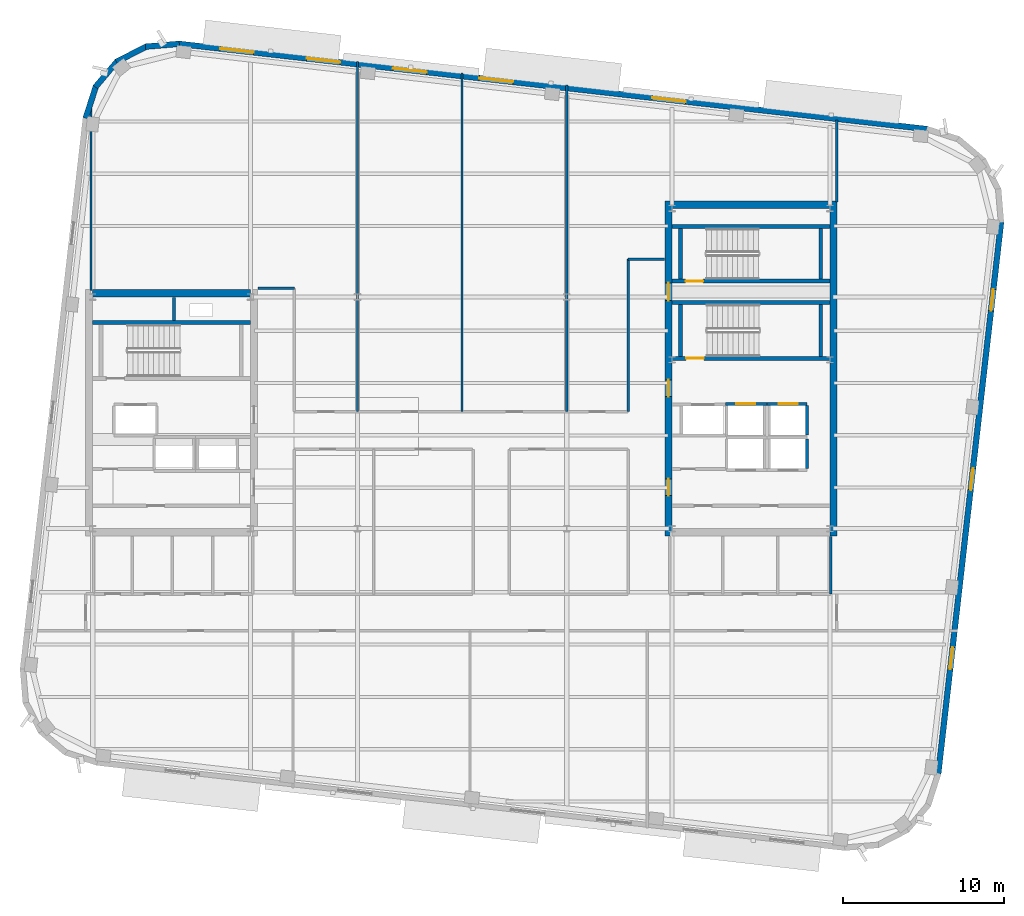
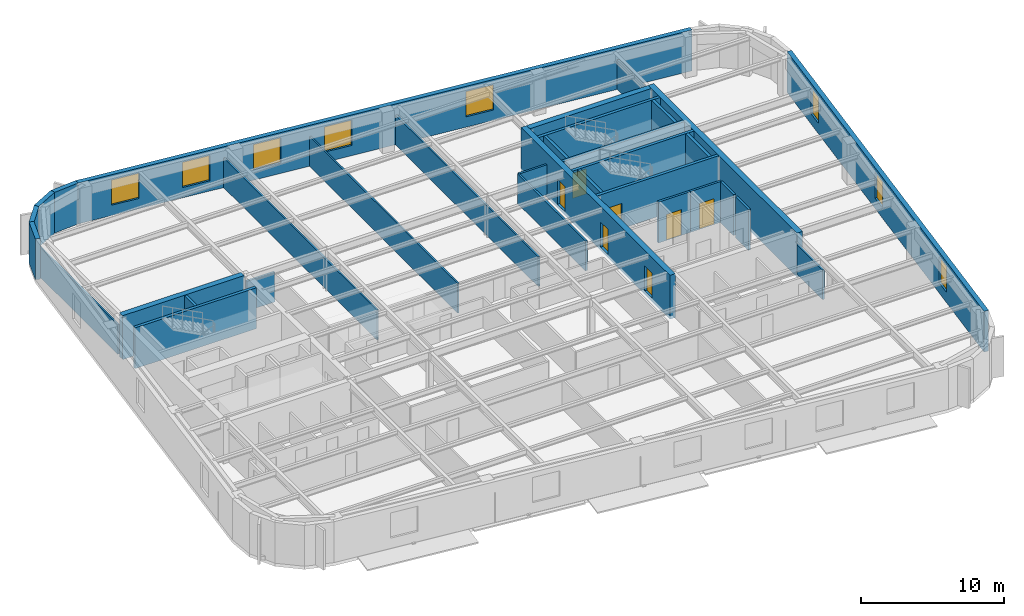
# One storey, part 8 of 14: 33 walls, 8 windows, 7 doors, 15 openings.
"""IFC4 building model written with IfcOpenShell, lengths in metres."""

from ifc_helpers import new_model, si_unit, direction, frame, frame_2d, origin, place, context, subcontext, project, spatial, rectangle, extrude, material, layer, layer_set, type_object, element, fill, save


model = new_model("IFC4")

# Units and contexts
model_context = context("Model", 3, precision=1e-05, world=origin(), true_north=direction((0.0, 1.0)))
body_context = subcontext(model_context, "Body", "Model", "MODEL_VIEW")
ifc_project = project(units=[si_unit("LENGTHUNIT", "METRE"), si_unit("AREAUNIT", "SQUARE_METRE"), si_unit("VOLUMEUNIT", "CUBIC_METRE"), si_unit("PLANEANGLEUNIT", "RADIAN"), si_unit("MASSUNIT", "GRAM", prefix="KILO")], contexts=[model_context])

# Site, building, storey
site_placement = place(None, origin())
site = spatial("IfcSite", under=ifc_project, at=site_placement, CompositionType="ELEMENT")
building_placement = place(site_placement, origin())
building = spatial("IfcBuilding", under=site, at=building_placement, Name="Kolvaren Arena Tower", CompositionType="ELEMENT")
storey_placement = place(building_placement, frame((0.0, 0.0, 224.699951171875)))
storey = spatial("IfcBuildingStorey", under=building, at=storey_placement, Name="L54", CompositionType="ELEMENT", Elevation=224.699951171875)

# Walls
ifc_material_1 = material(Name="Gypsum board acoustic assembly", Category="gypsum")
ifc_layer_1 = layer(ifc_material_1, 0.159912109375)
ifc_layer_set_1 = layer_set([ifc_layer_1], Name="Gypsum board acoustic assembly")
wall_type_1 = type_object("IfcWallType", Name="CORR-160", PredefinedType="PARTITIONING", material=ifc_layer_set_1)
wall_1_placement = place(storey_placement, frame((24.820068359375, 34.3798828125, 0.0), z_axis=(0.0, 0.0, 1.0), x_axis=(1.0, 0.0, 0.0)))
element("IfcWall", 1, at=wall_1_placement, inside=storey, type_object=wall_type_1, Name="Interior Partition Wall (L54)", PredefinedType="PARTITIONING", context=body_context, shape_type="SweptSolid", body=[
    extrude(rectangle(XDim=2.260009765625, YDim=0.159912109375, at=frame_2d((1.1298828125, 0.0))), origin(), (0.0, 0.0, 1.0), 2.5400390625),
])
wall_2_placement = place(storey_placement, frame((47.820068359375, 26.719970703125, 0.0), z_axis=(0.0, 0.0, 1.0), x_axis=(0.0, 1.0, 0.0)))
element("IfcWall", 2, at=wall_2_placement, inside=storey, type_object=wall_type_1, Name="Interior Partition Wall (L54)", PredefinedType="PARTITIONING", context=body_context, shape_type="SweptSolid", body=[
    extrude(rectangle(XDim=9.47998046875, YDim=0.159912109375, at=frame_2d((4.739990234375, 0.0))), origin(), (0.0, 0.0, 1.0), 2.5400390625),
])
wall_3_placement = place(storey_placement, frame((47.820068359375, 36.199951171875, 0.0), z_axis=(0.0, 0.0, 1.0), x_axis=(1.0, 0.0, 0.0)))
element("IfcWall", 3, at=wall_3_placement, inside=storey, type_object=wall_type_1, Name="Interior Partition Wall (L54)", PredefinedType="PARTITIONING", context=body_context, shape_type="SweptSolid", body=[
    extrude(rectangle(XDim=2.260009765625, YDim=0.159912109375, at=frame_2d((1.1298828125, 0.0))), origin(), (0.0, 0.0, 1.0), 2.5400390625),
])
ifc_material_2 = material(Name="Concrete 55 MPa", Category="concrete")
ifc_layer_2 = layer(ifc_material_2, 0.449951171875)
ifc_layer_set_2 = layer_set([ifc_layer_2], Name="Concrete 55 MPa")
wall_type_2 = type_object("IfcWallType", Name="CWALL-450", PredefinedType="SHEAR", material=ifc_layer_set_2)
wall_4_placement = place(storey_placement, frame((14.550048828125, 34.074951171875, -0.27001953125), z_axis=(0.0, 0.0, 1.0), x_axis=(1.0, 0.0, 0.0)))
element("IfcWall", 4, at=wall_4_placement, inside=storey, type_object=wall_type_2, Name="Core Shear Wall WC-NORTH (L54)", PredefinedType="SHEAR", context=body_context, shape_type="SweptSolid", body=[
    extrude(rectangle(XDim=9.800048828125, YDim=0.449951171875, at=frame_2d((4.89990234375, 0.0))), origin(), (0.0, 0.0, 1.0), 3.75),
])

# Wall, openings, doors
wall_5_placement = place(storey_placement, frame((50.324951171875, 19.0, -0.27001953125), z_axis=(0.0, 0.0, 1.0), x_axis=(0.0, 1.0, 0.0)))
wall_5 = element("IfcWall", 5, at=wall_5_placement, inside=storey, type_object=wall_type_2, Name="Core Shear Wall EC-WEST (L54)", PredefinedType="SHEAR", context=body_context, shape_type="SweptSolid", body=[
    extrude(rectangle(XDim=20.800048828125, YDim=0.449951171875, at=frame_2d((10.39990234375, 0.0))), origin(), (0.0, 0.0, 1.0), 3.75),
])
opening_1_placement = place(wall_5_placement, frame((2.5, 0.0, 0.27001953125)))
opening_1 = element("IfcOpeningElement", 6, at=opening_1_placement, cuts=wall_5, Name="Opening D04", PredefinedType="OPENING", context=body_context, shape_type="SweptSolid", body=[
    extrude(rectangle(XDim=1.050048828125, YDim=2.14990234375, at=frame_2d((0.52490234375, 1.074951171875))), frame((0.0, 0.23486328125, 0.0), z_axis=(0.0, -1.0, 0.0), x_axis=(1.0, 0.0, 0.0)), (0.0, 0.0, 1.0), 0.469970703125),
])
opening_2_placement = place(wall_5_placement, frame((8.64990234375, 0.0, 0.27001953125)))
opening_2 = element("IfcOpeningElement", 7, at=opening_2_placement, cuts=wall_5, Name="Opening D04", PredefinedType="OPENING", context=body_context, shape_type="SweptSolid", body=[
    extrude(rectangle(XDim=1.050048828125, YDim=2.14990234375, at=frame_2d((0.52490234375, 1.074951171875))), frame((0.0, 0.23486328125, 0.0), z_axis=(0.0, -1.0, 0.0), x_axis=(1.0, 0.0, 0.0)), (0.0, 0.0, 1.0), 0.469970703125),
])
opening_3_placement = place(wall_5_placement, frame((14.6201171875, 0.0, 0.27001953125)))
opening_3 = element("IfcOpeningElement", 8, at=opening_3_placement, cuts=wall_5, Name="Opening D03", PredefinedType="OPENING", context=body_context, shape_type="SweptSolid", body=[
    extrude(rectangle(XDim=1.10009765625, YDim=2.14990234375, at=frame_2d((0.550048828125, 1.074951171875))), frame((0.0, 0.23486328125, 0.0), z_axis=(0.0, -1.0, 0.0), x_axis=(1.0, 0.0, 0.0)), (0.0, 0.0, 1.0), 0.469970703125),
])
ifc_material_3 = material(Name="Fire-rated steel lobby door", Category="steel")
door_type_1 = type_object("IfcDoorType", Name="DOOR-FF-105", OperationType="NOTDEFINED", PredefinedType="DOOR", material=ifc_material_3)
door_1_placement = place(opening_1_placement, origin())
door_1 = element("IfcDoor", 9, at=door_1_placement, inside=storey, type_object=door_type_1, Name="East Lift Lobby Fire Door (L54)", OperationType="SINGLE_SWING_RIGHT", OverallHeight=2.14990234375, OverallWidth=1.050048828125, PredefinedType="DOOR", context=body_context, shape_type="SweptSolid", body=[
    extrude(rectangle(XDim=1.050048828125, YDim=2.14990234375, at=frame_2d((0.52490234375, 1.074951171875))), frame((0.0, 0.02490234375, 0.0), z_axis=(0.0, -1.0, 0.0), x_axis=(1.0, 0.0, 0.0)), (0.0, 0.0, 1.0), 0.050048828125),
])
fill(opening_1, door_1)
door_2_placement = place(opening_2_placement, origin())
door_2 = element("IfcDoor", 10, at=door_2_placement, inside=storey, type_object=door_type_1, Name="East Firefighter Vestibule Door (L54)", OperationType="SINGLE_SWING_LEFT", OverallHeight=2.14990234375, OverallWidth=1.050048828125, PredefinedType="DOOR", context=body_context, shape_type="SweptSolid", body=[
    extrude(rectangle(XDim=1.050048828125, YDim=2.14990234375, at=frame_2d((0.52490234375, 1.074951171875))), frame((0.0, 0.02490234375, 0.0), z_axis=(0.0, -1.0, 0.0), x_axis=(1.0, 0.0, 0.0)), (0.0, 0.0, 1.0), 0.050048828125),
])
fill(opening_2, door_2)
ifc_material_4 = material(Name="Fire-rated steel exit stair door", Category="steel")
door_type_2 = type_object("IfcDoorType", Name="DOOR-ST-110", OperationType="NOTDEFINED", PredefinedType="DOOR", material=ifc_material_4)
door_3_placement = place(opening_3_placement, origin())
door_3 = element("IfcDoor", 11, at=door_3_placement, inside=storey, type_object=door_type_2, Name="Stair ST-E2 Vestibule Fire Door (L54)", OperationType="SINGLE_SWING_LEFT", OverallHeight=2.14990234375, OverallWidth=1.10009765625, PredefinedType="DOOR", context=body_context, shape_type="SweptSolid", body=[
    extrude(rectangle(XDim=1.10009765625, YDim=2.14990234375, at=frame_2d((0.550048828125, 1.074951171875))), frame((0.0, 0.02490234375, 0.0), z_axis=(0.0, -1.0, 0.0), x_axis=(1.0, 0.0, 0.0)), (0.0, 0.0, 1.0), 0.050048828125),
])
fill(opening_3, door_3)

# Walls
wall_6_placement = place(storey_placement, frame((60.574951171875, 19.0, -0.27001953125), z_axis=(0.0, 0.0, 1.0), x_axis=(0.0, 1.0, 0.0)))
element("IfcWall", 12, at=wall_6_placement, inside=storey, type_object=wall_type_2, Name="Core Shear Wall EC-EAST (L54)", PredefinedType="SHEAR", context=body_context, shape_type="SweptSolid", body=[
    extrude(rectangle(XDim=20.800048828125, YDim=0.449951171875, at=frame_2d((10.39990234375, 0.0))), origin(), (0.0, 0.0, 1.0), 3.75),
])
wall_7_placement = place(storey_placement, frame((50.550048828125, 39.574951171875, -0.27001953125), z_axis=(0.0, 0.0, 1.0), x_axis=(1.0, 0.0, 0.0)))
element("IfcWall", 13, at=wall_7_placement, inside=storey, type_object=wall_type_2, Name="Core Shear Wall EC-NORTH (L54)", PredefinedType="SHEAR", context=body_context, shape_type="SweptSolid", body=[
    extrude(rectangle(XDim=9.800048828125, YDim=0.449951171875, at=frame_2d((4.89990234375, 0.0))), origin(), (0.0, 0.0, 1.0), 3.75),
])

# Wall, openings, windows
ifc_material_5 = material(Name="Precast concrete C50/60", Category="concrete")
ifc_layer_3 = layer(ifc_material_5, 0.360107421875)
ifc_layer_set_3 = layer_set([ifc_layer_3], Name="Precast concrete C50/60")
wall_type_3 = type_object("IfcWallType", Name="EXT-PIER2", PredefinedType="SOLIDWALL", material=ifc_layer_set_3)
wall_8_placement = place(storey_placement, frame((70.98876953125, 38.499267578125, 0.0), z_axis=(0.0, 0.0, 1.0), x_axis=(-0.113203107947, -0.993571867733, 0.0)))
wall_8 = element("IfcWall", 14, at=wall_8_placement, inside=storey, type_object=wall_type_3, Name="Exterior Precast Masonry-Frame Wall (L54)", PredefinedType="SOLIDWALL", context=body_context, shape_type="SweptSolid", body=[
    extrude(rectangle(XDim=34.5, YDim=0.360107421875, at=frame_2d((17.25, 0.0))), origin(), (0.0, 0.0, 1.0), 3.47998046875),
])
opening_4_placement = place(wall_8_placement, frame((4.199951171875, 0.0, 0.8798828125)))
opening_4 = element("IfcOpeningElement", 15, at=opening_4_placement, cuts=wall_8, Name="Opening W04", PredefinedType="OPENING", context=body_context, shape_type="SweptSolid", body=[
    extrude(rectangle(XDim=1.35009765625, YDim=2.199951171875, at=frame_2d((0.675048828125, 1.10009765625))), frame((0.0, 0.18994140625, 0.0), z_axis=(0.0, -1.0, 0.0), x_axis=(1.0, 0.0, 0.0)), (0.0, 0.0, 1.0), 0.380126953125),
])
opening_5_placement = place(wall_8_placement, frame((15.39990234375, 0.0, 0.8798828125)))
opening_5 = element("IfcOpeningElement", 16, at=opening_5_placement, cuts=wall_8, Name="Opening W04", PredefinedType="OPENING", context=body_context, shape_type="SweptSolid", body=[
    extrude(rectangle(XDim=1.35009765625, YDim=2.199951171875, at=frame_2d((0.675048828125, 1.10009765625))), frame((0.0, 0.18994140625, 0.0), z_axis=(0.0, -1.0, 0.0), x_axis=(1.0, 0.0, 0.0)), (0.0, 0.0, 1.0), 0.380126953125),
])
opening_6_placement = place(wall_8_placement, frame((26.60009765625, 0.0, 0.8798828125)))
opening_6 = element("IfcOpeningElement", 17, at=opening_6_placement, cuts=wall_8, Name="Opening W04", PredefinedType="OPENING", context=body_context, shape_type="SweptSolid", body=[
    extrude(rectangle(XDim=1.35009765625, YDim=2.199951171875, at=frame_2d((0.675048828125, 1.10009765625))), frame((0.0, 0.18994140625, 0.0), z_axis=(0.0, -1.0, 0.0), x_axis=(1.0, 0.0, 0.0)), (0.0, 0.0, 1.0), 0.380126953125),
])
ifc_material_6 = material(Name="Triple-glazed curved-facet corner window", Category="glass")
window_type_1 = type_object("IfcWindowType", Name="WIN-CRN-A", PartitioningType="SINGLE_PANEL", PredefinedType="WINDOW", material=ifc_material_6)
window_1_placement = place(opening_4_placement, origin())
window_1 = element("IfcWindow", 18, at=window_1_placement, inside=storey, type_object=window_type_1, Name="End-Wall Punched Window (L54)", OverallHeight=2.199951171875, OverallWidth=1.35009765625, PartitioningType="SINGLE_PANEL", PredefinedType="WINDOW", context=body_context, shape_type="SweptSolid", body=[
    extrude(rectangle(XDim=1.35009765625, YDim=2.199951171875, at=frame_2d((0.675048828125, 1.10009765625))), frame((0.0, 0.030029296875, 0.0), z_axis=(0.0, -1.0, 0.0), x_axis=(1.0, 0.0, 0.0)), (0.0, 0.0, 1.0), 0.06005859375),
])
fill(opening_4, window_1)
window_2_placement = place(opening_5_placement, origin())
window_2 = element("IfcWindow", 19, at=window_2_placement, inside=storey, type_object=window_type_1, Name="End-Wall Punched Window (L54)", OverallHeight=2.199951171875, OverallWidth=1.35009765625, PartitioningType="SINGLE_PANEL", PredefinedType="WINDOW", context=body_context, shape_type="SweptSolid", body=[
    extrude(rectangle(XDim=1.35009765625, YDim=2.199951171875, at=frame_2d((0.675048828125, 1.10009765625))), frame((0.0, 0.030029296875, 0.0), z_axis=(0.0, -1.0, 0.0), x_axis=(1.0, 0.0, 0.0)), (0.0, 0.0, 1.0), 0.06005859375),
])
fill(opening_5, window_2)
window_3_placement = place(opening_6_placement, origin())
window_3 = element("IfcWindow", 20, at=window_3_placement, inside=storey, type_object=window_type_1, Name="End-Wall Punched Window (L54)", OverallHeight=2.199951171875, OverallWidth=1.35009765625, PartitioningType="SINGLE_PANEL", PredefinedType="WINDOW", context=body_context, shape_type="SweptSolid", body=[
    extrude(rectangle(XDim=1.35009765625, YDim=2.199951171875, at=frame_2d((0.675048828125, 1.10009765625))), frame((0.0, 0.030029296875, 0.0), z_axis=(0.0, -1.0, 0.0), x_axis=(1.0, 0.0, 0.0)), (0.0, 0.0, 1.0), 0.06005859375),
])
fill(opening_6, window_3)

wall_9_placement = place(storey_placement, frame((19.89404296875, 49.57470703125, 0.0), z_axis=(0.0, 0.0, 1.0), x_axis=(0.993571439016, -0.113206870688, 0.0)))
wall_9 = element("IfcWall", 21, at=wall_9_placement, inside=storey, type_object=wall_type_3, Name="Exterior Precast Masonry-Frame Wall (L54)", PredefinedType="SOLIDWALL", context=body_context, shape_type="SweptSolid", body=[
    extrude(rectangle(XDim=46.800048828125, YDim=0.360107421875, at=frame_2d((23.39990234375, 0.0))), origin(), (0.0, 0.0, 1.0), 3.47998046875),
])
opening_7_placement = place(wall_9_placement, frame((2.60009765625, 0.0, 0.8798828125)))
opening_7 = element("IfcOpeningElement", 22, at=opening_7_placement, cuts=wall_9, Name="Opening W01", PredefinedType="OPENING", context=body_context, shape_type="SweptSolid", body=[
    extrude(rectangle(XDim=2.10009765625, YDim=2.14990234375, at=frame_2d((1.050048828125, 1.074951171875))), frame((0.0, 0.18994140625, 0.0), z_axis=(0.0, -1.0, 0.0), x_axis=(1.0, 0.0, 0.0)), (0.0, 0.0, 1.0), 0.380126953125),
])
opening_8_placement = place(wall_9_placement, frame((8.0, 0.0, 0.8798828125)))
opening_8 = element("IfcOpeningElement", 23, at=opening_8_placement, cuts=wall_9, Name="Opening W01", PredefinedType="OPENING", context=body_context, shape_type="SweptSolid", body=[
    extrude(rectangle(XDim=2.10009765625, YDim=2.14990234375, at=frame_2d((1.050048828125, 1.074951171875))), frame((0.0, 0.18994140625, 0.0), z_axis=(0.0, -1.0, 0.0), x_axis=(1.0, 0.0, 0.0)), (0.0, 0.0, 1.0), 0.380126953125),
])
opening_9_placement = place(wall_9_placement, frame((13.39990234375, 0.0, 0.8798828125)))
opening_9 = element("IfcOpeningElement", 24, at=opening_9_placement, cuts=wall_9, Name="Opening W01", PredefinedType="OPENING", context=body_context, shape_type="SweptSolid", body=[
    extrude(rectangle(XDim=2.10009765625, YDim=2.14990234375, at=frame_2d((1.050048828125, 1.074951171875))), frame((0.0, 0.18994140625, 0.0), z_axis=(0.0, -1.0, 0.0), x_axis=(1.0, 0.0, 0.0)), (0.0, 0.0, 1.0), 0.380126953125),
])
opening_10_placement = place(wall_9_placement, frame((18.800048828125, 0.0, 0.8798828125)))
opening_10 = element("IfcOpeningElement", 25, at=opening_10_placement, cuts=wall_9, Name="Opening W01", PredefinedType="OPENING", context=body_context, shape_type="SweptSolid", body=[
    extrude(rectangle(XDim=2.10009765625, YDim=2.14990234375, at=frame_2d((1.050048828125, 1.074951171875))), frame((0.0, 0.18994140625, 0.0), z_axis=(0.0, -1.0, 0.0), x_axis=(1.0, 0.0, 0.0)), (0.0, 0.0, 1.0), 0.380126953125),
])
opening_11_placement = place(wall_9_placement, frame((29.60009765625, 0.0, 0.8798828125)))
opening_11 = element("IfcOpeningElement", 26, at=opening_11_placement, cuts=wall_9, Name="Opening W01", PredefinedType="OPENING", context=body_context, shape_type="SweptSolid", body=[
    extrude(rectangle(XDim=2.10009765625, YDim=2.14990234375, at=frame_2d((1.050048828125, 1.074951171875))), frame((0.0, 0.18994140625, 0.0), z_axis=(0.0, -1.0, 0.0), x_axis=(1.0, 0.0, 0.0)), (0.0, 0.0, 1.0), 0.380126953125),
])
ifc_material_7 = material(Name="Triple-glazed low-E aluminium window", Category="aluminium")
window_type_2 = type_object("IfcWindowType", Name="WIN-OFF-A", PartitioningType="DOUBLE_PANEL_VERTICAL", PredefinedType="WINDOW", material=ifc_material_7)
window_4_placement = place(opening_7_placement, origin())
window_4 = element("IfcWindow", 27, at=window_4_placement, inside=storey, type_object=window_type_2, Name="Punched Precast-Pier Window (L54)", OverallHeight=2.14990234375, OverallWidth=2.10009765625, PartitioningType="DOUBLE_PANEL_VERTICAL", PredefinedType="WINDOW", context=body_context, shape_type="SweptSolid", body=[
    extrude(rectangle(XDim=2.10009765625, YDim=2.14990234375, at=frame_2d((1.050048828125, 1.074951171875))), frame((0.0, 0.030029296875, 0.0), z_axis=(0.0, -1.0, 0.0), x_axis=(1.0, 0.0, 0.0)), (0.0, 0.0, 1.0), 0.06005859375),
])
fill(opening_7, window_4)
window_5_placement = place(opening_8_placement, origin())
window_5 = element("IfcWindow", 28, at=window_5_placement, inside=storey, type_object=window_type_2, Name="Punched Precast-Pier Window (L54)", OverallHeight=2.14990234375, OverallWidth=2.10009765625, PartitioningType="DOUBLE_PANEL_VERTICAL", PredefinedType="WINDOW", context=body_context, shape_type="SweptSolid", body=[
    extrude(rectangle(XDim=2.10009765625, YDim=2.14990234375, at=frame_2d((1.050048828125, 1.074951171875))), frame((0.0, 0.030029296875, 0.0), z_axis=(0.0, -1.0, 0.0), x_axis=(1.0, 0.0, 0.0)), (0.0, 0.0, 1.0), 0.06005859375),
])
fill(opening_8, window_5)
window_6_placement = place(opening_9_placement, origin())
window_6 = element("IfcWindow", 29, at=window_6_placement, inside=storey, type_object=window_type_2, Name="Punched Precast-Pier Window (L54)", OverallHeight=2.14990234375, OverallWidth=2.10009765625, PartitioningType="DOUBLE_PANEL_VERTICAL", PredefinedType="WINDOW", context=body_context, shape_type="SweptSolid", body=[
    extrude(rectangle(XDim=2.10009765625, YDim=2.14990234375, at=frame_2d((1.050048828125, 1.074951171875))), frame((0.0, 0.030029296875, 0.0), z_axis=(0.0, -1.0, 0.0), x_axis=(1.0, 0.0, 0.0)), (0.0, 0.0, 1.0), 0.06005859375),
])
fill(opening_9, window_6)
window_7_placement = place(opening_10_placement, origin())
window_7 = element("IfcWindow", 30, at=window_7_placement, inside=storey, type_object=window_type_2, Name="Punched Precast-Pier Window (L54)", OverallHeight=2.14990234375, OverallWidth=2.10009765625, PartitioningType="DOUBLE_PANEL_VERTICAL", PredefinedType="WINDOW", context=body_context, shape_type="SweptSolid", body=[
    extrude(rectangle(XDim=2.10009765625, YDim=2.14990234375, at=frame_2d((1.050048828125, 1.074951171875))), frame((0.0, 0.030029296875, 0.0), z_axis=(0.0, -1.0, 0.0), x_axis=(1.0, 0.0, 0.0)), (0.0, 0.0, 1.0), 0.06005859375),
])
fill(opening_10, window_7)
window_8_placement = place(opening_11_placement, origin())
window_8 = element("IfcWindow", 31, at=window_8_placement, inside=storey, type_object=window_type_2, Name="Punched Precast-Pier Window (L54)", OverallHeight=2.14990234375, OverallWidth=2.10009765625, PartitioningType="DOUBLE_PANEL_VERTICAL", PredefinedType="WINDOW", context=body_context, shape_type="SweptSolid", body=[
    extrude(rectangle(XDim=2.10009765625, YDim=2.14990234375, at=frame_2d((1.050048828125, 1.074951171875))), frame((0.0, 0.030029296875, 0.0), z_axis=(0.0, -1.0, 0.0), x_axis=(1.0, 0.0, 0.0)), (0.0, 0.0, 1.0), 0.06005859375),
])
fill(opening_11, window_8)

# Walls
for number, where, z_axis, x_axis, name in (
    (32, (17.82958984375, 49.3994140625, 0.0), (0.0, 0.0, 1.0), (0.996562518477, 0.082844111233, 0.0), "Exterior Precast Masonry-Frame Wall (L54)"),
    (33, (16.02392578125, 48.4541015625, 0.0), (0.0, 0.0, 1.0), (0.889010287693, 0.457887222333, 0.0), "Exterior Precast Masonry-Frame Wall (L54)"),
    (34, (14.717529296875, 46.8896484375, 0.0), (0.0, 0.0, 1.0), (0.646170743289, 0.763192878975, 0.0), "Exterior Precast Masonry-Frame Wall (L54)"),
):
    element("IfcWall", number, at=place(storey_placement, frame(where, z_axis=z_axis, x_axis=x_axis)), inside=storey, type_object=wall_type_3, Name=name, PredefinedType="SOLIDWALL", context=body_context, shape_type="SweptSolid", body=[
        extrude(rectangle(XDim=2.107177734375, YDim=0.360107421875, at=frame_2d((1.0537109375, 0.0))), origin(), (0.0, 0.0, 1.0), 3.47998046875),
    ])
wall_10_placement = place(storey_placement, frame((14.109375, 44.944580078125, 0.0), z_axis=(0.0, 0.0, 1.0), x_axis=(0.304872429864, 0.952393196904, 0.0)))
element("IfcWall", 35, at=wall_10_placement, inside=storey, type_object=wall_type_3, Name="Exterior Precast Masonry-Frame Wall (L54)", PredefinedType="SOLIDWALL", context=body_context, shape_type="SweptSolid", body=[
    extrude(rectangle(XDim=2.10693359375, YDim=0.360107421875, at=frame_2d((1.053466796875, 0.0))), origin(), (0.0, 0.0, 1.0), 3.47998046875),
])
ifc_material_8 = material(Name="Gypsum board partition assembly", Category="gypsum")
ifc_layer_4 = layer(ifc_material_8, 0.135009765625)
ifc_layer_set_4 = layer_set([ifc_layer_4], Name="Gypsum board partition assembly")
wall_type_4 = type_object("IfcWallType", Name="PART-135", PredefinedType="PARTITIONING", material=ifc_layer_set_4)
wall_11_placement = place(storey_placement, frame((31.0, 26.719970703125, 0.0), z_axis=(0.0, 0.0, 1.0), x_axis=(0.0, 1.0, 0.0)))
element("IfcWall", 36, at=wall_11_placement, inside=storey, type_object=wall_type_4, Name="Interior Partition Wall (L54)", PredefinedType="PARTITIONING", context=body_context, shape_type="SweptSolid", body=[
    extrude(rectangle(XDim=21.770263671875, YDim=0.135009765625, at=frame_2d((10.88525390625, 0.0))), origin(), (0.0, 0.0, 1.0), 2.5400390625),
])
wall_12_placement = place(storey_placement, frame((37.5, 26.719970703125, 0.0), z_axis=(0.0, 0.0, 1.0), x_axis=(0.0, 1.0, 0.0)))
element("IfcWall", 37, at=wall_12_placement, inside=storey, type_object=wall_type_4, Name="Interior Partition Wall (L54)", PredefinedType="PARTITIONING", context=body_context, shape_type="SweptSolid", body=[
    extrude(rectangle(XDim=21.02978515625, YDim=0.135009765625, at=frame_2d((10.514892578125, 0.0))), origin(), (0.0, 0.0, 1.0), 2.5400390625),
])
wall_13_placement = place(storey_placement, frame((44.0, 26.719970703125, 0.0), z_axis=(0.0, 0.0, 1.0), x_axis=(0.0, 1.0, 0.0)))
element("IfcWall", 38, at=wall_13_placement, inside=storey, type_object=wall_type_4, Name="Interior Partition Wall (L54)", PredefinedType="PARTITIONING", context=body_context, shape_type="SweptSolid", body=[
    extrude(rectangle(XDim=20.289306640625, YDim=0.135009765625, at=frame_2d((10.14453125, 0.0))), origin(), (0.0, 0.0, 1.0), 2.5400390625),
])
wall_14_placement = place(storey_placement, frame((14.449951171875, 34.25, 0.0), z_axis=(0.0, 0.0, 1.0), x_axis=(0.0, 1.0, 0.0)))
element("IfcWall", 39, at=wall_14_placement, inside=storey, type_object=wall_type_4, Name="Interior Partition Wall (L54)", PredefinedType="PARTITIONING", context=body_context, shape_type="SweptSolid", body=[
    extrude(rectangle(XDim=11.56201171875, YDim=0.135009765625, at=frame_2d((5.781005859375, 0.0))), origin(), (0.0, 0.0, 1.0), 2.5400390625),
])
wall_15_placement = place(storey_placement, frame((60.780029296875, 39.75, 0.0), z_axis=(0.0, 0.0, 1.0), x_axis=(0.0, 1.0, 0.0)))
element("IfcWall", 40, at=wall_15_placement, inside=storey, type_object=wall_type_4, Name="Interior Partition Wall (L54)", PredefinedType="PARTITIONING", context=body_context, shape_type="SweptSolid", body=[
    extrude(rectangle(XDim=5.105712890625, YDim=0.135009765625, at=frame_2d((2.552734375, 0.0))), origin(), (0.0, 0.0, 1.0), 2.5400390625),
])
ifc_material_9 = material(Name="Concrete 45 MPa", Category="concrete")
ifc_layer_5 = layer(ifc_material_9, 0.25)
ifc_layer_set_5 = layer_set([ifc_layer_5], Name="Concrete 45 MPa")
wall_type_5 = type_object("IfcWallType", Name="SHAFT-250", PredefinedType="SOLIDWALL", material=ifc_layer_set_5)
wall_16_placement = place(storey_placement, frame((14.550048828125, 32.25, 0.0), z_axis=(0.0, 0.0, 1.0), x_axis=(1.0, 0.0, 0.0)))
element("IfcWall", 41, at=wall_16_placement, inside=storey, type_object=wall_type_5, Name="Core Shaft Wall (L54)", PredefinedType="SOLIDWALL", context=body_context, shape_type="SweptSolid", body=[
    extrude(rectangle(XDim=9.800048828125, YDim=0.239990234375, at=frame_2d((4.89990234375, 0.0))), origin(), (0.0, 0.0, 1.0), 3.47998046875),
])

# Wall, opening, door
wall_17_placement = place(storey_placement, frame((60.35009765625, 30.030029296875, 0.0), z_axis=(0.0, 0.0, 1.0), x_axis=(-1.0, 0.0, 0.0)))
wall_17 = element("IfcWall", 42, at=wall_17_placement, inside=storey, type_object=wall_type_5, Name="Core Shaft Wall (L54)", PredefinedType="SOLIDWALL", context=body_context, shape_type="SweptSolid", body=[
    extrude(rectangle(XDim=9.800048828125, YDim=0.239990234375, at=frame_2d((4.89990234375, 0.0))), origin(), (0.0, 0.0, 1.0), 3.47998046875),
])
opening_12_placement = place(wall_17_placement, frame((7.830078125, 0.0, 0.0)))
opening_12 = element("IfcOpeningElement", 43, at=opening_12_placement, cuts=wall_17, Name="Opening D03", PredefinedType="OPENING", context=body_context, shape_type="SweptSolid", body=[
    extrude(rectangle(XDim=1.10009765625, YDim=2.14990234375, at=frame_2d((0.550048828125, 1.074951171875))), frame((0.0, 0.1298828125, 0.0), z_axis=(0.0, -1.0, 0.0), x_axis=(1.0, 0.0, 0.0)), (0.0, 0.0, 1.0), 0.260009765625),
])
door_4_placement = place(opening_12_placement, origin())
door_4 = element("IfcDoor", 44, at=door_4_placement, inside=storey, type_object=door_type_2, Name="Stair ST-E1 Fire Door (L54)", OperationType="SINGLE_SWING_LEFT", OverallHeight=2.14990234375, OverallWidth=1.10009765625, PredefinedType="DOOR", context=body_context, shape_type="SweptSolid", body=[
    extrude(rectangle(XDim=1.10009765625, YDim=2.14990234375, at=frame_2d((0.550048828125, 1.074951171875))), frame((0.0, 0.02490234375, 0.0), z_axis=(0.0, -1.0, 0.0), x_axis=(1.0, 0.0, 0.0)), (0.0, 0.0, 1.0), 0.050048828125),
])
fill(opening_12, door_4)

# Walls
wall_18_placement = place(storey_placement, frame((50.550048828125, 33.5, 0.0), z_axis=(0.0, 0.0, 1.0), x_axis=(1.0, 0.0, 0.0)))
element("IfcWall", 45, at=wall_18_placement, inside=storey, type_object=wall_type_5, Name="Core Shaft Wall (L54)", PredefinedType="SOLIDWALL", context=body_context, shape_type="SweptSolid", body=[
    extrude(rectangle(XDim=9.800048828125, YDim=0.239990234375, at=frame_2d((4.89990234375, 0.0))), origin(), (0.0, 0.0, 1.0), 3.47998046875),
])
for number, where, z_axis, x_axis, name in (
    (46, (51.06005859375, 30.14990234375, 0.0), (0.0, 0.0, 1.0), (0.0, 1.0, 0.0), "Core Shaft Wall (L54)"),
    (47, (59.780029296875, 30.14990234375, 0.0), (0.0, 0.0, 1.0), (0.0, 1.0, 0.0), "Core Shaft Wall (L54)"),
):
    element("IfcWall", number, at=place(storey_placement, frame(where, z_axis=z_axis, x_axis=x_axis)), inside=storey, type_object=wall_type_5, Name=name, PredefinedType="SOLIDWALL", context=body_context, shape_type="SweptSolid", body=[
        extrude(rectangle(XDim=3.22998046875, YDim=0.239990234375, at=frame_2d((1.614990234375, 0.0))), origin(), (0.0, 0.0, 1.0), 3.47998046875),
    ])

# Wall, opening, door
wall_19_placement = place(storey_placement, frame((60.35009765625, 34.830078125, 0.0), z_axis=(0.0, 0.0, 1.0), x_axis=(-1.0, 0.0, 0.0)))
wall_19 = element("IfcWall", 48, at=wall_19_placement, inside=storey, type_object=wall_type_5, Name="Core Shaft Wall (L54)", PredefinedType="SOLIDWALL", context=body_context, shape_type="SweptSolid", body=[
    extrude(rectangle(XDim=9.800048828125, YDim=0.239990234375, at=frame_2d((4.89990234375, 0.0))), origin(), (0.0, 0.0, 1.0), 3.47998046875),
])
opening_13_placement = place(wall_19_placement, frame((7.8701171875, 0.0, 0.0)))
opening_13 = element("IfcOpeningElement", 49, at=opening_13_placement, cuts=wall_19, Name="Opening D03", PredefinedType="OPENING", context=body_context, shape_type="SweptSolid", body=[
    extrude(rectangle(XDim=1.10009765625, YDim=2.14990234375, at=frame_2d((0.550048828125, 1.074951171875))), frame((0.0, 0.1298828125, 0.0), z_axis=(0.0, -1.0, 0.0), x_axis=(1.0, 0.0, 0.0)), (0.0, 0.0, 1.0), 0.260009765625),
])
door_5_placement = place(opening_13_placement, origin())
door_5 = element("IfcDoor", 50, at=door_5_placement, inside=storey, type_object=door_type_2, Name="Stair ST-E2 Fire Door (L54)", OperationType="SINGLE_SWING_LEFT", OverallHeight=2.14990234375, OverallWidth=1.10009765625, PredefinedType="DOOR", context=body_context, shape_type="SweptSolid", body=[
    extrude(rectangle(XDim=1.10009765625, YDim=2.14990234375, at=frame_2d((0.550048828125, 1.074951171875))), frame((0.0, 0.02490234375, 0.0), z_axis=(0.0, -1.0, 0.0), x_axis=(1.0, 0.0, 0.0)), (0.0, 0.0, 1.0), 0.050048828125),
])
fill(opening_13, door_5)

# Walls
wall_20_placement = place(storey_placement, frame((50.550048828125, 38.219970703125, 0.0), z_axis=(0.0, 0.0, 1.0), x_axis=(1.0, 0.0, 0.0)))
element("IfcWall", 51, at=wall_20_placement, inside=storey, type_object=wall_type_5, Name="Core Shaft Wall (L54)", PredefinedType="SOLIDWALL", context=body_context, shape_type="SweptSolid", body=[
    extrude(rectangle(XDim=9.800048828125, YDim=0.239990234375, at=frame_2d((4.89990234375, 0.0))), origin(), (0.0, 0.0, 1.0), 3.47998046875),
])
for number, where, z_axis, x_axis, name in (
    (52, (51.06005859375, 34.949951171875, 0.0), (0.0, 0.0, 1.0), (0.0, 1.0, 0.0), "Core Shaft Wall (L54)"),
    (53, (59.780029296875, 34.949951171875, 0.0), (0.0, 0.0, 1.0), (0.0, 1.0, 0.0), "Core Shaft Wall (L54)"),
):
    element("IfcWall", number, at=place(storey_placement, frame(where, z_axis=z_axis, x_axis=x_axis)), inside=storey, type_object=wall_type_5, Name=name, PredefinedType="SOLIDWALL", context=body_context, shape_type="SweptSolid", body=[
        extrude(rectangle(XDim=3.150146484375, YDim=0.239990234375, at=frame_2d((1.5751953125, 0.0))), origin(), (0.0, 0.0, 1.0), 3.47998046875),
    ])
wall_21_placement = place(storey_placement, frame((19.60009765625, 32.3701171875, 0.0), z_axis=(0.0, 0.0, 1.0), x_axis=(0.0, 1.0, 0.0)))
element("IfcWall", 54, at=wall_21_placement, inside=storey, type_object=wall_type_5, Name="Core Shaft Wall (L54)", PredefinedType="SOLIDWALL", context=body_context, shape_type="SweptSolid", body=[
    extrude(rectangle(XDim=1.429931640625, YDim=0.199951171875, at=frame_2d((0.71484375, 0.0))), origin(), (0.0, 0.0, 1.0), 3.47998046875),
])
wall_22_placement = place(storey_placement, frame((58.93994140625, 23.18505859375, 0.0), z_axis=(0.0, 0.0, 1.0), x_axis=(0.0, 1.0, 0.0)))
element("IfcWall", 55, at=wall_22_placement, inside=storey, type_object=wall_type_5, Name="Core Shaft Wall (L54)", PredefinedType="SOLIDWALL", context=body_context, shape_type="SweptSolid", body=[
    extrude(rectangle(XDim=1.829833984375, YDim=0.179931640625, at=frame_2d((0.9150390625, 0.0))), origin(), (0.0, 0.0, 1.0), 3.47998046875),
])

# Wall, opening, door
wall_23_placement = place(storey_placement, frame((53.864990234375, 27.205078125, 0.0), z_axis=(0.0, 0.0, 1.0), x_axis=(1.0, 0.0, 0.0)))
wall_23 = element("IfcWall", 56, at=wall_23_placement, inside=storey, type_object=wall_type_5, Name="Core Shaft Wall (L54)", PredefinedType="SOLIDWALL", context=body_context, shape_type="SweptSolid", body=[
    extrude(rectangle(XDim=2.574951171875, YDim=0.179931640625, at=frame_2d((1.28759765625, 0.0))), origin(), (0.0, 0.0, 1.0), 3.47998046875),
])
opening_14_placement = place(wall_23_placement, frame((0.655029296875, 0.0, 0.0)))
opening_14 = element("IfcOpeningElement", 57, at=opening_14_placement, cuts=wall_23, Name="Opening LD1", PredefinedType="OPENING", context=body_context, shape_type="SweptSolid", body=[
    extrude(rectangle(XDim=1.199951171875, YDim=2.199951171875, at=frame_2d((0.60009765625, 1.10009765625))), frame((0.0, 0.099853515625, 0.0), z_axis=(0.0, -1.0, 0.0), x_axis=(1.0, 0.0, 0.0)), (0.0, 0.0, 1.0), 0.199951171875),
])
ifc_material_10 = material(Name="Stainless steel passenger lift landing door", Category="steel")
door_type_3 = type_object("IfcDoorType", Name="DOOR-LD-120", OperationType="DOUBLE_DOOR_SLIDING", PredefinedType="DOOR", material=ifc_material_10)
door_6_placement = place(opening_14_placement, origin())
door_6 = element("IfcDoor", 58, at=door_6_placement, inside=storey, type_object=door_type_3, Name="Lift EL-HR3 Landing Door (L54)", OperationType="DOUBLE_DOOR_SLIDING", OverallHeight=2.199951171875, OverallWidth=1.199951171875, PredefinedType="DOOR", context=body_context, shape_type="SweptSolid", body=[
    extrude(rectangle(XDim=1.199951171875, YDim=2.199951171875, at=frame_2d((0.60009765625, 1.10009765625))), frame((0.0, 0.02490234375, 0.0), z_axis=(0.0, -1.0, 0.0), x_axis=(1.0, 0.0, 0.0)), (0.0, 0.0, 1.0), 0.050048828125),
])
fill(opening_14, door_6)

wall_24_placement = place(storey_placement, frame((56.43994140625, 27.205078125, 0.0), z_axis=(0.0, 0.0, 1.0), x_axis=(1.0, 0.0, 0.0)))
wall_24 = element("IfcWall", 59, at=wall_24_placement, inside=storey, type_object=wall_type_5, Name="Core Shaft Wall (L54)", PredefinedType="SOLIDWALL", context=body_context, shape_type="SweptSolid", body=[
    extrude(rectangle(XDim=2.5, YDim=0.179931640625, at=frame_2d((1.25, 0.0))), origin(), (0.0, 0.0, 1.0), 3.47998046875),
])
opening_15_placement = place(wall_24_placement, frame((0.719970703125, 0.0, 0.0)))
opening_15 = element("IfcOpeningElement", 60, at=opening_15_placement, cuts=wall_24, Name="Opening LD1", PredefinedType="OPENING", context=body_context, shape_type="SweptSolid", body=[
    extrude(rectangle(XDim=1.199951171875, YDim=2.199951171875, at=frame_2d((0.60009765625, 1.10009765625))), frame((0.0, 0.099853515625, 0.0), z_axis=(0.0, -1.0, 0.0), x_axis=(1.0, 0.0, 0.0)), (0.0, 0.0, 1.0), 0.199951171875),
])
door_7_placement = place(opening_15_placement, origin())
door_7 = element("IfcDoor", 61, at=door_7_placement, inside=storey, type_object=door_type_3, Name="Lift EL-HR4 Landing Door (L54)", OperationType="DOUBLE_DOOR_SLIDING", OverallHeight=2.199951171875, OverallWidth=1.199951171875, PredefinedType="DOOR", context=body_context, shape_type="SweptSolid", body=[
    extrude(rectangle(XDim=1.199951171875, YDim=2.199951171875, at=frame_2d((0.60009765625, 1.10009765625))), frame((0.0, 0.02490234375, 0.0), z_axis=(0.0, -1.0, 0.0), x_axis=(1.0, 0.0, 0.0)), (0.0, 0.0, 1.0), 0.050048828125),
])
fill(opening_15, door_7)

# Walls
wall_25_placement = place(storey_placement, frame((58.93994140625, 25.284912109375, 0.0), z_axis=(0.0, 0.0, 1.0), x_axis=(0.0, 1.0, 0.0)))
element("IfcWall", 62, at=wall_25_placement, inside=storey, type_object=wall_type_5, Name="Core Shaft Wall (L54)", PredefinedType="SOLIDWALL", context=body_context, shape_type="SweptSolid", body=[
    extrude(rectangle(XDim=1.830078125, YDim=0.179931640625, at=frame_2d((0.9150390625, 0.0))), origin(), (0.0, 0.0, 1.0), 3.47998046875),
])
ifc_material_11 = material(Name="Moisture-resistant gypsum assembly", Category="gypsum")
ifc_layer_6 = layer(ifc_material_11, 0.14990234375)
ifc_layer_set_6 = layer_set([ifc_layer_6], Name="Moisture-resistant gypsum assembly")
wall_type_6 = type_object("IfcWallType", Name="WETW-150", PredefinedType="PARTITIONING", material=ifc_layer_set_6)
wall_26_placement = place(storey_placement, frame((60.39990234375, 15.39990234375, 0.0), z_axis=(0.0, 0.0, 1.0), x_axis=(0.0, 1.0, 0.0)))
element("IfcWall", 63, at=wall_26_placement, inside=storey, type_object=wall_type_6, Name="Interior Partition Wall (L54)", PredefinedType="PARTITIONING", context=body_context, shape_type="SweptSolid", body=[
    extrude(rectangle(XDim=3.580078125, YDim=0.14990234375, at=frame_2d((1.7900390625, 0.0))), origin(), (0.0, 0.0, 1.0), 2.5400390625),
])

save(model, "model.ifc")
